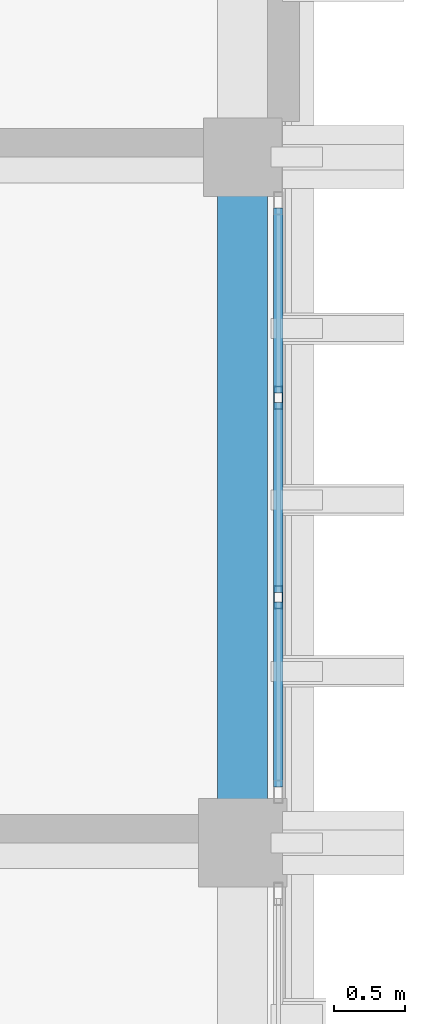
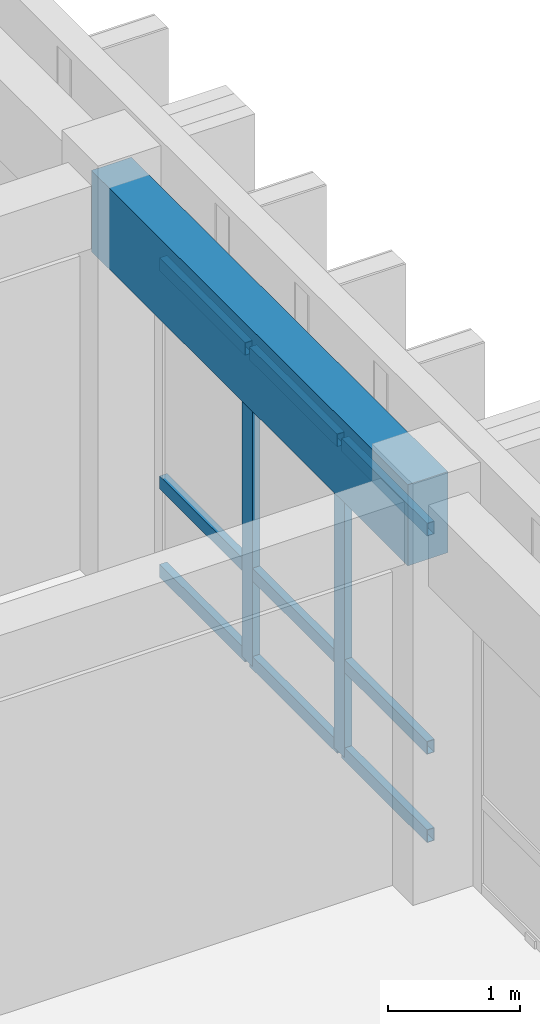
# One storey, part 25 of 50: 11 members, 1 beam, 1 element without a shape of its own.
"""IFC4 building model written with IfcOpenShell, lengths in metres."""

from ifc_helpers import new_model, si_unit, direction, frame, origin, origin_2d, place, context, subcontext, project, spatial, rectangle, hollow_rectangle, extrude, material, layer, layer_set, material_profile, profile_set, type_object, element, aggregate, save


model = new_model("IFC4")

# Units and contexts
model_context = context("Model", 3, precision=1e-05, world=origin(), true_north=direction((0.0, 1.0)))
body_context = subcontext(model_context, "Body", "Model", "MODEL_VIEW")
ifc_project = project(units=[si_unit("LENGTHUNIT", "METRE"), si_unit("AREAUNIT", "SQUARE_METRE"), si_unit("VOLUMEUNIT", "CUBIC_METRE"), si_unit("PLANEANGLEUNIT", "RADIAN"), si_unit("MASSUNIT", "GRAM", prefix="KILO")], contexts=[model_context])

# Site, building, storey
site_placement = place(None, origin())
site = spatial("IfcSite", under=ifc_project, at=site_placement, CompositionType="ELEMENT")
building_placement = place(site_placement, origin())
building = spatial("IfcBuilding", under=site, at=building_placement, Name="Nakhvara Creek Congress Hotel", CompositionType="ELEMENT")
storey_placement = place(building_placement, frame((0.0, 0.0, 42.60009765625)))
storey = spatial("IfcBuildingStorey", under=building, at=storey_placement, Name="L10", CompositionType="ELEMENT", Elevation=42.60009765625)

# Beam
ifc_material_1 = material(Name="Concrete C40/50", Category="concrete")
ifc_material_profile_1 = material_profile(ifc_material_1, rectangle(XDim=0.35009765625, YDim=0.75, at=origin_2d()), Name="RC-SPANDREL 350x750", Category="LoadBearing")
ifc_profile_set_1 = profile_set([ifc_material_profile_1], Name="Concrete C40/50")
beam_type = type_object("IfcBeamType", Name="BM-SPN-350X750", PredefinedType="SPANDREL", material=ifc_profile_set_1)
beam_placement = place(storey_placement, frame((179.35009765625, 96.0, 3.284912109375), z_axis=(0.0, 1.0, 0.0), x_axis=(-1.0, 0.0, 0.0)))
element("IfcBeam", 1, at=beam_placement, inside=storey, type_object=beam_type, Name="Beam SP1-L10-2695", PredefinedType="SPANDREL", context=body_context, shape_type="SweptSolid", body=[
    extrude(rectangle(XDim=0.35009765625, YDim=0.75, at=origin_2d()), origin(), (0.0, 0.0, 1.0), 4.800048828125),
])

# Curtain wall, members
ifc_material_2 = material(Name="Bronze-anodised aluminium AW-6063-T6 and double-silver low-E glass", Category="aluminium")
ifc_layer = layer(ifc_material_2, 0.199951171875)
ifc_layer_set = layer_set([ifc_layer], Name="Bronze-anodised aluminium AW-6063-T6 and double-silver low-E glass")
curtain_wall_type = type_object("IfcCurtainWallType", Name="CW-HTL-UNIT", PredefinedType="USERDEFINED", material=ifc_layer_set)
curtain_wall_placement = place(storey_placement, origin())
curtain_wall = element("IfcCurtainWall", 2, at=curtain_wall_placement, inside=storey, type_object=curtain_wall_type, Name="Curtain Wall CW324", ObjectType="UNITISED", PredefinedType="USERDEFINED")
ifc_material_3 = material(Name="Bronze-anodised aluminium AW-6063-T6", Category="aluminium")
ifc_material_profile_2 = material_profile(ifc_material_3, hollow_rectangle(XDim=0.06494140625, YDim=0.159912109375, WallThickness=0.00390625, at=origin_2d()), Name="ALU-MULL 65x160x4", Category="LoadBearing")
ifc_profile_set_2 = profile_set([ifc_material_profile_2], Name="Bronze-anodised aluminium AW-6063-T6")
member_type_1 = type_object("IfcMemberType", Name="CW-MULL-160", PredefinedType="MULLION", material=ifc_profile_set_2)
member_1_placement = place(storey_placement, frame((179.60009765625, 99.114990234375, 0.0), z_axis=(0.0, 0.0, 1.0), x_axis=(1.0, 0.0, 0.0)))
member_1 = element("IfcMember", 3, at=member_1_placement, type_object=member_type_1, Name="CW324 mullion 2", PredefinedType="MULLION", context=body_context, shape_type="SweptSolid", body=[
    extrude(hollow_rectangle(XDim=0.06494140625, YDim=0.159912109375, WallThickness=0.00390625, at=origin_2d()), origin(), (0.0, 0.0, 1.0), 2.90185546875),
])
member_2_placement = place(storey_placement, frame((179.60009765625, 97.719970703125, 0.0), z_axis=(0.0, 0.0, 1.0), x_axis=(1.0, 0.0, 0.0)))
member_2 = element("IfcMember", 4, at=member_2_placement, type_object=member_type_1, Name="CW324 mullion 3", PredefinedType="MULLION", context=body_context, shape_type="SweptSolid", body=[
    extrude(hollow_rectangle(XDim=0.06494140625, YDim=0.159912109375, WallThickness=0.00390625, at=origin_2d()), origin(), (0.0, 0.0, 1.0), 2.90185546875),
])
ifc_material_profile_3 = material_profile(ifc_material_3, hollow_rectangle(XDim=0.06494140625, YDim=0.1201171875, WallThickness=0.00390625, at=origin_2d()), Name="ALU-TRAN 65x120x4", Category="LoadBearing")
ifc_profile_set_3 = profile_set([ifc_material_profile_3], Name="Bronze-anodised aluminium AW-6063-T6")
member_type_2 = type_object("IfcMemberType", Name="CW-TRAN-120", PredefinedType="USERDEFINED", material=ifc_profile_set_3)
member_3_placement = place(storey_placement, frame((179.60009765625, 100.445068359375, 0.032470703125), z_axis=(0.0, -1.0, 0.0), x_axis=(1.0, 0.0, 0.0)))
member_3 = element("IfcMember", 5, at=member_3_placement, type_object=member_type_2, Name="CW324 transom 1.1", ObjectType="TRANSOM", PredefinedType="USERDEFINED", context=body_context, shape_type="SweptSolid", body=[
    extrude(hollow_rectangle(XDim=0.06494140625, YDim=0.1201171875, WallThickness=0.00390625, at=origin_2d()), origin(), (0.0, 0.0, 1.0), 1.297607421875),
])
member_4_placement = place(storey_placement, frame((179.60009765625, 100.445068359375, 0.849853515625), z_axis=(0.0, -1.0, 0.0), x_axis=(1.0, 0.0, 0.0)))
member_4 = element("IfcMember", 6, at=member_4_placement, type_object=member_type_2, Name="CW324 transom 1.2", ObjectType="TRANSOM", PredefinedType="USERDEFINED", context=body_context, shape_type="SweptSolid", body=[
    extrude(hollow_rectangle(XDim=0.06494140625, YDim=0.1201171875, WallThickness=0.00390625, at=origin_2d()), origin(), (0.0, 0.0, 1.0), 1.297607421875),
])
member_5_placement = place(storey_placement, frame((179.60009765625, 100.445068359375, 2.869384765625), z_axis=(0.0, -1.0, 0.0), x_axis=(1.0, 0.0, 0.0)))
member_5 = element("IfcMember", 7, at=member_5_placement, type_object=member_type_2, Name="CW324 transom 1.3", ObjectType="TRANSOM", PredefinedType="USERDEFINED", context=body_context, shape_type="SweptSolid", body=[
    extrude(hollow_rectangle(XDim=0.06494140625, YDim=0.1201171875, WallThickness=0.00390625, at=origin_2d()), origin(), (0.0, 0.0, 1.0), 1.297607421875),
])
member_6_placement = place(storey_placement, frame((179.60009765625, 99.08251953125, 0.032470703125), z_axis=(0.0, -1.0, 0.0), x_axis=(1.0, 0.0, 0.0)))
member_6 = element("IfcMember", 8, at=member_6_placement, type_object=member_type_2, Name="CW324 transom 2.1", ObjectType="TRANSOM", PredefinedType="USERDEFINED", context=body_context, shape_type="SweptSolid", body=[
    extrude(hollow_rectangle(XDim=0.06494140625, YDim=0.1201171875, WallThickness=0.00390625, at=origin_2d()), origin(), (0.0, 0.0, 1.0), 1.330078125),
])
member_7_placement = place(storey_placement, frame((179.60009765625, 99.08251953125, 0.849853515625), z_axis=(0.0, -1.0, 0.0), x_axis=(1.0, 0.0, 0.0)))
member_7 = element("IfcMember", 9, at=member_7_placement, type_object=member_type_2, Name="CW324 transom 2.2", ObjectType="TRANSOM", PredefinedType="USERDEFINED", context=body_context, shape_type="SweptSolid", body=[
    extrude(hollow_rectangle(XDim=0.06494140625, YDim=0.1201171875, WallThickness=0.00390625, at=origin_2d()), origin(), (0.0, 0.0, 1.0), 1.330078125),
])
member_8_placement = place(storey_placement, frame((179.60009765625, 99.08251953125, 2.869384765625), z_axis=(0.0, -1.0, 0.0), x_axis=(1.0, 0.0, 0.0)))
member_8 = element("IfcMember", 10, at=member_8_placement, type_object=member_type_2, Name="CW324 transom 2.3", ObjectType="TRANSOM", PredefinedType="USERDEFINED", context=body_context, shape_type="SweptSolid", body=[
    extrude(hollow_rectangle(XDim=0.06494140625, YDim=0.1201171875, WallThickness=0.00390625, at=origin_2d()), origin(), (0.0, 0.0, 1.0), 1.330078125),
])
member_9_placement = place(storey_placement, frame((179.60009765625, 97.6875, 0.032470703125), z_axis=(0.0, -1.0, 0.0), x_axis=(1.0, 0.0, 0.0)))
member_9 = element("IfcMember", 11, at=member_9_placement, type_object=member_type_2, Name="CW324 transom 3.1", ObjectType="TRANSOM", PredefinedType="USERDEFINED", context=body_context, shape_type="SweptSolid", body=[
    extrude(hollow_rectangle(XDim=0.06494140625, YDim=0.1201171875, WallThickness=0.00390625, at=origin_2d()), origin(), (0.0, 0.0, 1.0), 1.297607421875),
])
member_10_placement = place(storey_placement, frame((179.60009765625, 97.6875, 0.849853515625), z_axis=(0.0, -1.0, 0.0), x_axis=(1.0, 0.0, 0.0)))
member_10 = element("IfcMember", 12, at=member_10_placement, type_object=member_type_2, Name="CW324 transom 3.2", ObjectType="TRANSOM", PredefinedType="USERDEFINED", context=body_context, shape_type="SweptSolid", body=[
    extrude(hollow_rectangle(XDim=0.06494140625, YDim=0.1201171875, WallThickness=0.00390625, at=origin_2d()), origin(), (0.0, 0.0, 1.0), 1.297607421875),
])
member_11_placement = place(storey_placement, frame((179.60009765625, 97.6875, 2.869384765625), z_axis=(0.0, -1.0, 0.0), x_axis=(1.0, 0.0, 0.0)))
member_11 = element("IfcMember", 13, at=member_11_placement, type_object=member_type_2, Name="CW324 transom 3.3", ObjectType="TRANSOM", PredefinedType="USERDEFINED", context=body_context, shape_type="SweptSolid", body=[
    extrude(hollow_rectangle(XDim=0.06494140625, YDim=0.1201171875, WallThickness=0.00390625, at=origin_2d()), origin(), (0.0, 0.0, 1.0), 1.297607421875),
])
aggregate(curtain_wall, [member_1, member_2, member_3, member_4, member_5, member_6, member_7, member_8, member_9, member_10, member_11])

save(model, "model.ifc")
